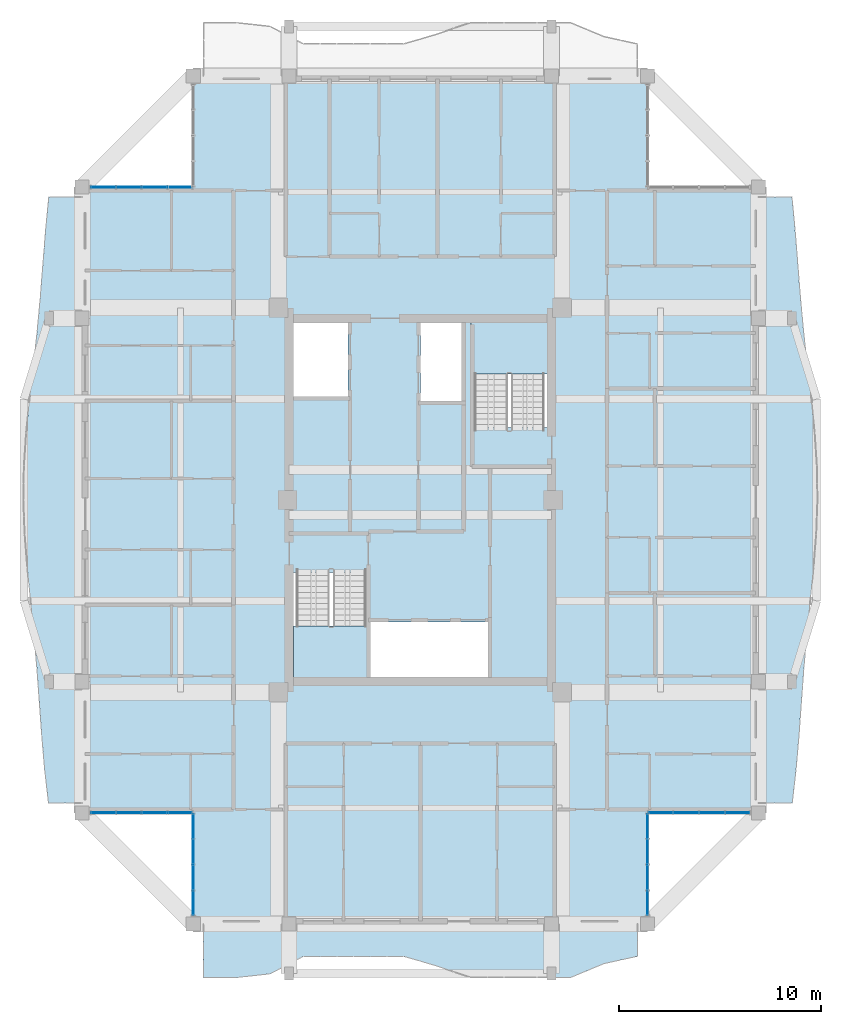
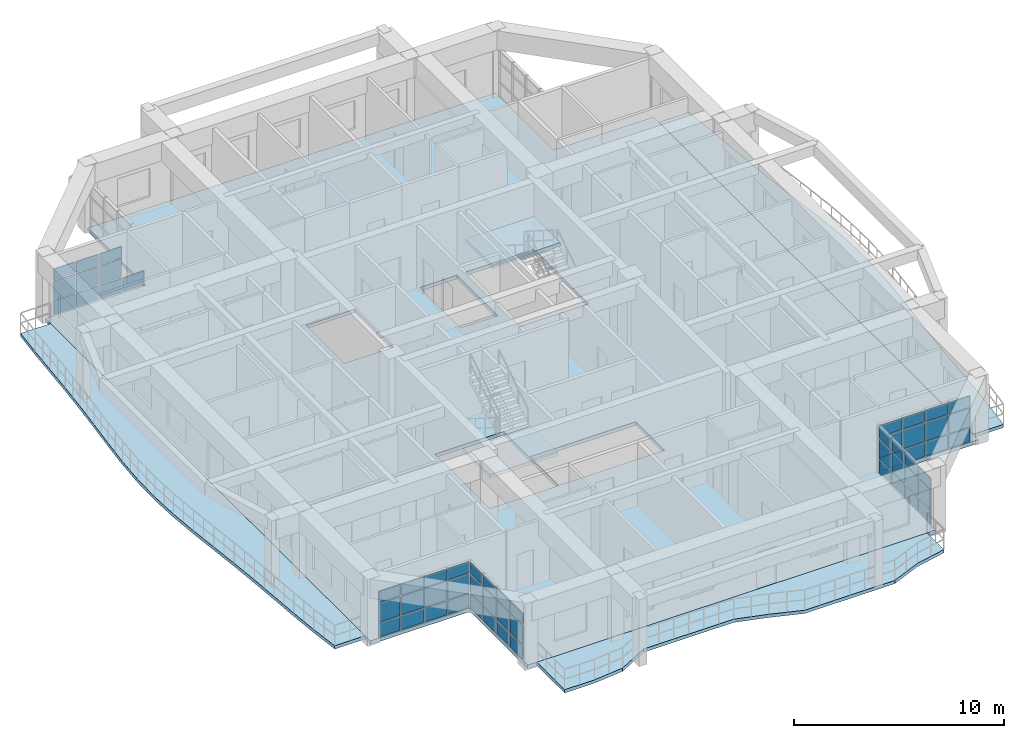
# One storey, part 14 of 27: 58 plates, 6 slabs, 7 elements without a shape of their own.
"""IFC4 building model written with IfcOpenShell, lengths in metres."""

from ifc_helpers import new_model, si_unit, direction, frame, origin, origin_2d, place, context, subcontext, project, spatial, polyline, rectangle, outline, extrude, source, transform, mapped, material, layer, layer_set, type_object, element, aggregate, save


model = new_model("IFC4")

# Units and contexts
model_context = context("Model", 3, precision=1e-05, world=origin(), true_north=direction((0.0, 1.0)))
body_context = subcontext(model_context, "Body", "Model", "MODEL_VIEW")
ifc_project = project(units=[si_unit("LENGTHUNIT", "METRE"), si_unit("AREAUNIT", "SQUARE_METRE"), si_unit("VOLUMEUNIT", "CUBIC_METRE"), si_unit("PLANEANGLEUNIT", "RADIAN"), si_unit("MASSUNIT", "GRAM", prefix="KILO")], contexts=[model_context])

# Site, building, storey
site_placement = place(None, origin())
site = spatial("IfcSite", under=ifc_project, at=site_placement, CompositionType="ELEMENT")
building_placement = place(site_placement, origin())
building = spatial("IfcBuilding", under=site, at=building_placement, Name="Saelheon Loggia Tower", CompositionType="ELEMENT")
storey_placement = place(building_placement, frame((0.0, 0.0, 226.199951171875)))
storey = spatial("IfcBuildingStorey", under=building, at=storey_placement, Name="L70", CompositionType="ELEMENT", Elevation=226.199951171875)

# Slabs
ifc_material_1 = material(Name="Precast Concrete C45/55", Category="concrete")
ifc_layer_1 = layer(ifc_material_1, 0.18994140625)
ifc_layer_set_1 = layer_set([ifc_layer_1], Name="Precast Concrete C45/55")
slab_type_1 = type_object("IfcSlabType", Name="Slab_Loggia_Ext_190", PredefinedType="FLOOR", material=ifc_layer_set_1)
slab_1_placement = place(storey_placement, frame((0.0, 0.0, -0.18994140625)))
element("IfcSlab", 1, at=slab_1_placement, inside=storey, type_object=slab_type_1, Name="L70 Loggia Balcony Slab S", PredefinedType="FLOOR", context=body_context, shape_type="SweptSolid", body=[
    extrude(outline(polyline([(27.25, 3.35009765625), (28.90380859375, 3.35009765625), (30.5576171875, 3.531005859375), (32.21142578125, 4.39990234375), (33.865478515625, 4.39990234375), (35.519287109375, 4.39990234375), (37.173095703125, 4.39990234375), (38.826904296875, 3.9169921875), (40.480712890625, 3.35009765625), (42.134521484375, 3.35009765625), (43.78857421875, 3.35009765625), (45.4423828125, 3.35009765625), (47.09619140625, 4.03759765625), (48.75, 4.39990234375), (48.75, 6.0), (27.25, 6.0), (27.25, 3.35009765625)])), origin(), (0.0, 0.0, 1.0), 0.18994140625),
])
slab_2_placement = place(storey_placement, frame((0.0, 0.0, -0.18994140625)))
element("IfcSlab", 2, at=slab_2_placement, inside=storey, type_object=slab_type_1, Name="L70 Loggia Balcony Slab E", PredefinedType="FLOOR", context=body_context, shape_type="SweptSolid", body=[
    extrude(outline(polyline([(54.75, 12.0), (56.419921875, 12.0), (56.611083984375, 13.666748046875), (56.754638671875, 15.333251953125), (56.87353515625, 17.0), (56.995849609375, 18.666748046875), (57.140380859375, 20.333251953125), (57.306640625, 22.0), (57.472900390625, 23.666748046875), (57.6044921875, 25.333251953125), (57.66650390625, 27.0), (57.64013671875, 28.666748046875), (57.529052734375, 30.333251953125), (57.3583984375, 32.0), (57.16552734375, 33.666748046875), (56.9833984375, 35.333251953125), (56.8291015625, 37.0), (56.697265625, 38.666748046875), (56.565673828125, 40.333251953125), (56.40625, 42.0), (54.75, 42.0), (54.75, 12.0)])), origin(), (0.0, 0.0, 1.0), 0.18994140625),
])
slab_3_placement = place(storey_placement, frame((0.0, 0.0, -0.18994140625)))
element("IfcSlab", 3, at=slab_3_placement, inside=storey, type_object=slab_type_1, Name="L70 Loggia Balcony Slab W", PredefinedType="FLOOR", context=body_context, shape_type="SweptSolid", body=[
    extrude(outline(polyline([(21.25, 12.0), (21.25, 42.0), (19.59375, 42.0), (19.434326171875, 40.333251953125), (19.302734375, 38.666748046875), (19.1708984375, 37.0), (19.0166015625, 35.333251953125), (18.83447265625, 33.666748046875), (18.6416015625, 32.0), (18.470947265625, 30.333251953125), (18.35986328125, 28.666748046875), (18.33349609375, 27.0), (18.3955078125, 25.333251953125), (18.527099609375, 23.666748046875), (18.693359375, 22.0), (18.859619140625, 20.333251953125), (19.004150390625, 18.666748046875), (19.12646484375, 17.0), (19.245361328125, 15.333251953125), (19.388916015625, 13.666748046875), (19.580078125, 12.0), (21.25, 12.0)])), origin(), (0.0, 0.0, 1.0), 0.18994140625),
])

# Stair, slab
ifc_material_2 = material(Name="Concrete C40/50", Category="concrete")
stair_type = type_object("IfcStairType", Name="Stair_Escape_Core", PredefinedType="HALF_TURN_STAIR", material=ifc_material_2)
stair_1_placement = place(storey_placement, origin())
stair_1 = element("IfcStair", 4, at=stair_1_placement, inside=storey, type_object=stair_type, Name="L70 Special Escape Stair ST1", PredefinedType="HALF_TURN_STAIR")
ifc_layer_2 = layer(ifc_material_2, 0.199951171875)
ifc_layer_set_2 = layer_set([ifc_layer_2], Name="Concrete C40/50")
slab_type_2 = type_object("IfcSlabType", Name="Slab_StairLanding_ST1", PredefinedType="LANDING", material=ifc_layer_set_2)
slab_4_placement = place(storey_placement, frame((0.0, 0.0, 1.75)))
slab_4 = element("IfcSlab", 5, at=slab_4_placement, type_object=slab_type_2, Name="ST1 landing 1", PredefinedType="LANDING", context=body_context, shape_type="SweptSolid", body=[
    extrude(outline(polyline([(31.7099609375, 20.75), (31.7099609375, 18.2099609375), (35.469970703125, 18.2099609375), (35.469970703125, 20.75), (31.7099609375, 20.75)])), origin(), (0.0, 0.0, 1.0), 0.199951171875),
])
aggregate(stair_1, [slab_4])

stair_2_placement = place(storey_placement, origin())
stair_2 = element("IfcStair", 6, at=stair_2_placement, inside=storey, type_object=stair_type, Name="L70 Special Escape Stair ST2", PredefinedType="HALF_TURN_STAIR")
ifc_layer_3 = layer(ifc_material_2, 0.199951171875)
ifc_layer_set_3 = layer_set([ifc_layer_3], Name="Concrete C40/50")
slab_type_3 = type_object("IfcSlabType", Name="Slab_StairLanding_ST2", PredefinedType="LANDING", material=ifc_layer_set_3)
slab_5_placement = place(storey_placement, frame((0.0, 0.0, 1.75)))
slab_5 = element("IfcSlab", 7, at=slab_5_placement, type_object=slab_type_3, Name="ST2 landing 1", PredefinedType="LANDING", context=body_context, shape_type="SweptSolid", body=[
    extrude(outline(polyline([(44.2900390625, 33.25), (44.2900390625, 35.7900390625), (40.530029296875, 35.7900390625), (40.530029296875, 33.25), (44.2900390625, 33.25)])), origin(), (0.0, 0.0, 1.0), 0.199951171875),
])
aggregate(stair_2, [slab_5])

# Slab
ifc_layer_4 = layer(ifc_material_2, 0.2099609375)
ifc_layer_set_4 = layer_set([ifc_layer_4], Name="Concrete C40/50")
slab_type_4 = type_object("IfcSlabType", Name="Slab_Tower_210", PredefinedType="FLOOR", material=ifc_layer_set_4)
slab_6_placement = place(storey_placement, frame((0.0, 0.0, -0.2099609375)))
element("IfcSlab", 8, at=slab_6_placement, inside=storey, type_object=slab_type_4, Name="L70 Tower Floor Slab", PredefinedType="FLOOR", context=body_context, shape_type="SweptSolid", body=[
    extrude(outline(polyline([(26.75, 6.0), (49.25, 6.0), (49.25, 11.5), (54.75, 11.5), (54.75, 42.5), (49.25, 42.5), (49.25, 48.0), (26.75, 48.0), (26.75, 42.5), (21.25, 42.5), (21.25, 11.5), (26.75, 11.5), (26.75, 6.0)]), holes=[polyline([(31.699951171875, 23.409912109375), (31.699951171875, 18.199951171875), (35.47998046875, 18.199951171875), (35.47998046875, 23.409912109375), (31.699951171875, 23.409912109375)]), polyline([(44.300048828125, 30.590087890625), (44.300048828125, 35.800048828125), (40.52001953125, 35.800048828125), (40.52001953125, 30.590087890625), (44.300048828125, 30.590087890625)]), polyline([(35.530029296875, 18.22509765625), (41.35009765625, 18.22509765625), (41.35009765625, 20.9599609375), (35.530029296875, 20.9599609375), (35.530029296875, 18.22509765625)]), polyline([(31.72509765625, 32.1201171875), (34.419921875, 32.1201171875), (34.419921875, 35.77490234375), (31.72509765625, 35.77490234375), (31.72509765625, 32.1201171875)]), polyline([(38.0, 31.89990234375), (40.050048828125, 31.89990234375), (40.050048828125, 35.77490234375), (38.0, 35.77490234375), (38.0, 31.89990234375)])]), origin(), (0.0, 0.0, 1.0), 0.2099609375),
])

# Curtain wall, plates
ifc_material_3 = material(Name="High-Wind Aluminium and Triple Laminated Glass", Category="aluminium")
ifc_layer_5 = layer(ifc_material_3, 0.179931640625)
ifc_layer_set_5 = layer_set([ifc_layer_5], Name="High-Wind Aluminium and Triple Laminated Glass")
curtain_wall_type = type_object("IfcCurtainWallType", Name="CW_TowerLoggiaHigh", PredefinedType="NOTDEFINED", material=ifc_layer_set_5)
curtain_wall_1_placement = place(storey_placement, origin())
curtain_wall_1 = element("IfcCurtainWall", 9, at=curtain_wall_1_placement, inside=storey, type_object=curtain_wall_type, Name="L70 Corner Notch Glazing SW1", PredefinedType="NOTDEFINED")
ifc_material_4 = material(Name="Triple Low-E Laminated Glazing", Category="glass")
ifc_layer_6 = layer(ifc_material_4, 0.0439453125)
ifc_layer_set_6 = layer_set([ifc_layer_6], Name="Triple Low-E Laminated Glazing")
plate_type = type_object("IfcPlateType", Name="CW_TowerLoggiaHigh_Panel", PredefinedType="CURTAIN_PANEL", material=ifc_layer_set_6)
shared_shape_1 = source(origin(), body_context, "Body", "SweptSolid", [
    extrude(rectangle(XDim=1.172607421875, YDim=0.0439453125, at=origin_2d()), origin(), (0.0, 0.0, 1.0), 0.794921875),
])
plate_1_placement = place(storey_placement, frame((26.75, 7.046142578125, 0.070068359375), z_axis=(0.0, 0.0, 1.0), x_axis=(0.0, 1.0, 0.0)))
plate_1 = element("IfcPlate", 10, at=plate_1_placement, type_object=plate_type, Name="CW4 panel 1.1", PredefinedType="CURTAIN_PANEL", context=body_context, shape_type="MappedRepresentation", body=[
    mapped(shared_shape_1, transform((0.0, 0.0, 0.0), scale=1.0)),
])
plate_2_placement = place(storey_placement, frame((26.75, 10.84375, 0.070068359375), z_axis=(0.0, 0.0, 1.0), x_axis=(0.0, 1.0, 0.0)))
plate_2 = element("IfcPlate", 11, at=plate_2_placement, type_object=plate_type, Name="CW4 panel 4.1", PredefinedType="CURTAIN_PANEL", context=body_context, shape_type="MappedRepresentation", body=[
    mapped(shared_shape_1, transform((0.0, 0.0, 0.0), scale=1.0)),
])

curtain_wall_2_placement = place(storey_placement, origin())
curtain_wall_2 = element("IfcCurtainWall", 12, at=curtain_wall_2_placement, inside=storey, type_object=curtain_wall_type, Name="L70 Corner Notch Glazing SW2", PredefinedType="NOTDEFINED")
plate_3_placement = place(storey_placement, frame((22.296142578125, 11.5, 0.070068359375), z_axis=(0.0, 0.0, 1.0), x_axis=(1.0, 0.0, 0.0)))
plate_3 = element("IfcPlate", 13, at=plate_3_placement, type_object=plate_type, Name="CW4 panel 1.1", PredefinedType="CURTAIN_PANEL", context=body_context, shape_type="MappedRepresentation", body=[
    mapped(shared_shape_1, transform((0.0, 0.0, 0.0), scale=1.0)),
])
plate_4_placement = place(storey_placement, frame((26.09375, 11.5, 0.070068359375), z_axis=(0.0, 0.0, 1.0), x_axis=(1.0, 0.0, 0.0)))
plate_4 = element("IfcPlate", 14, at=plate_4_placement, type_object=plate_type, Name="CW4 panel 4.1", PredefinedType="CURTAIN_PANEL", context=body_context, shape_type="MappedRepresentation", body=[
    mapped(shared_shape_1, transform((0.0, 0.0, 0.0), scale=1.0)),
])

curtain_wall_3_placement = place(storey_placement, origin())
curtain_wall_3 = element("IfcCurtainWall", 15, at=curtain_wall_3_placement, inside=storey, type_object=curtain_wall_type, Name="L70 Corner Notch Glazing SE1", PredefinedType="NOTDEFINED")
plate_5_placement = place(storey_placement, frame((49.25, 7.046142578125, 0.070068359375), z_axis=(0.0, 0.0, 1.0), x_axis=(0.0, 1.0, 0.0)))
plate_5 = element("IfcPlate", 16, at=plate_5_placement, type_object=plate_type, Name="CW4 panel 1.1", PredefinedType="CURTAIN_PANEL", context=body_context, shape_type="MappedRepresentation", body=[
    mapped(shared_shape_1, transform((0.0, 0.0, 0.0), scale=1.0)),
])
plate_6_placement = place(storey_placement, frame((49.25, 10.84375, 0.070068359375), z_axis=(0.0, 0.0, 1.0), x_axis=(0.0, 1.0, 0.0)))
plate_6 = element("IfcPlate", 17, at=plate_6_placement, type_object=plate_type, Name="CW4 panel 4.1", PredefinedType="CURTAIN_PANEL", context=body_context, shape_type="MappedRepresentation", body=[
    mapped(shared_shape_1, transform((0.0, 0.0, 0.0), scale=1.0)),
])

curtain_wall_4_placement = place(storey_placement, origin())
curtain_wall_4 = element("IfcCurtainWall", 18, at=curtain_wall_4_placement, inside=storey, type_object=curtain_wall_type, Name="L70 Corner Notch Glazing SE2", PredefinedType="NOTDEFINED")
plate_7_placement = place(storey_placement, frame((49.90625, 11.5, 0.070068359375), z_axis=(0.0, 0.0, 1.0), x_axis=(1.0, 0.0, 0.0)))
plate_7 = element("IfcPlate", 19, at=plate_7_placement, type_object=plate_type, Name="CW4 panel 1.1", PredefinedType="CURTAIN_PANEL", context=body_context, shape_type="MappedRepresentation", body=[
    mapped(shared_shape_1, transform((0.0, 0.0, 0.0), scale=1.0)),
])
plate_8_placement = place(storey_placement, frame((53.703857421875, 11.5, 0.070068359375), z_axis=(0.0, 0.0, 1.0), x_axis=(1.0, 0.0, 0.0)))
plate_8 = element("IfcPlate", 20, at=plate_8_placement, type_object=plate_type, Name="CW4 panel 4.1", PredefinedType="CURTAIN_PANEL", context=body_context, shape_type="MappedRepresentation", body=[
    mapped(shared_shape_1, transform((0.0, 0.0, 0.0), scale=1.0)),
])

curtain_wall_5_placement = place(storey_placement, origin())
curtain_wall_5 = element("IfcCurtainWall", 21, at=curtain_wall_5_placement, inside=storey, type_object=curtain_wall_type, Name="L70 Corner Notch Glazing NW2", PredefinedType="NOTDEFINED")
plate_9_placement = place(storey_placement, frame((22.296142578125, 42.5, 0.070068359375), z_axis=(0.0, 0.0, 1.0), x_axis=(1.0, 0.0, 0.0)))
plate_9 = element("IfcPlate", 22, at=plate_9_placement, type_object=plate_type, Name="CW4 panel 1.1", PredefinedType="CURTAIN_PANEL", context=body_context, shape_type="MappedRepresentation", body=[
    mapped(shared_shape_1, transform((0.0, 0.0, 0.0), scale=1.0)),
])
plate_10_placement = place(storey_placement, frame((26.09375, 42.5, 0.070068359375), z_axis=(0.0, 0.0, 1.0), x_axis=(1.0, 0.0, 0.0)))
plate_10 = element("IfcPlate", 23, at=plate_10_placement, type_object=plate_type, Name="CW4 panel 4.1", PredefinedType="CURTAIN_PANEL", context=body_context, shape_type="MappedRepresentation", body=[
    mapped(shared_shape_1, transform((0.0, 0.0, 0.0), scale=1.0)),
])

# Plate
shared_shape_2 = source(origin(), body_context, "Body", "SweptSolid", [
    extrude(rectangle(XDim=1.172607421875, YDim=0.0439453125, at=origin_2d()), origin(), (0.0, 0.0, 1.0), 1.080078125),
])
plate_11_placement = place(storey_placement, frame((26.75, 7.046142578125, 0.93505859375), z_axis=(0.0, 0.0, 1.0), x_axis=(0.0, 1.0, 0.0)))
plate_11 = element("IfcPlate", 24, at=plate_11_placement, type_object=plate_type, Name="CW4 panel 1.2", PredefinedType="CURTAIN_PANEL", context=body_context, shape_type="MappedRepresentation", body=[
    mapped(shared_shape_2, transform((0.0, 0.0, 0.0), scale=1.0)),
])

plate_12_placement = place(storey_placement, frame((26.75, 10.84375, 0.93505859375), z_axis=(0.0, 0.0, 1.0), x_axis=(0.0, 1.0, 0.0)))
plate_12 = element("IfcPlate", 25, at=plate_12_placement, type_object=plate_type, Name="CW4 panel 4.2", PredefinedType="CURTAIN_PANEL", context=body_context, shape_type="MappedRepresentation", body=[
    mapped(shared_shape_2, transform((0.0, 0.0, 0.0), scale=1.0)),
])

plate_13_placement = place(storey_placement, frame((22.296142578125, 11.5, 0.93505859375), z_axis=(0.0, 0.0, 1.0), x_axis=(1.0, 0.0, 0.0)))
plate_13 = element("IfcPlate", 26, at=plate_13_placement, type_object=plate_type, Name="CW4 panel 1.2", PredefinedType="CURTAIN_PANEL", context=body_context, shape_type="MappedRepresentation", body=[
    mapped(shared_shape_2, transform((0.0, 0.0, 0.0), scale=1.0)),
])

plate_14_placement = place(storey_placement, frame((26.09375, 11.5, 0.93505859375), z_axis=(0.0, 0.0, 1.0), x_axis=(1.0, 0.0, 0.0)))
plate_14 = element("IfcPlate", 27, at=plate_14_placement, type_object=plate_type, Name="CW4 panel 4.2", PredefinedType="CURTAIN_PANEL", context=body_context, shape_type="MappedRepresentation", body=[
    mapped(shared_shape_2, transform((0.0, 0.0, 0.0), scale=1.0)),
])

plate_15_placement = place(storey_placement, frame((49.25, 7.046142578125, 0.93505859375), z_axis=(0.0, 0.0, 1.0), x_axis=(0.0, 1.0, 0.0)))
plate_15 = element("IfcPlate", 28, at=plate_15_placement, type_object=plate_type, Name="CW4 panel 1.2", PredefinedType="CURTAIN_PANEL", context=body_context, shape_type="MappedRepresentation", body=[
    mapped(shared_shape_2, transform((0.0, 0.0, 0.0), scale=1.0)),
])

plate_16_placement = place(storey_placement, frame((49.25, 10.84375, 0.93505859375), z_axis=(0.0, 0.0, 1.0), x_axis=(0.0, 1.0, 0.0)))
plate_16 = element("IfcPlate", 29, at=plate_16_placement, type_object=plate_type, Name="CW4 panel 4.2", PredefinedType="CURTAIN_PANEL", context=body_context, shape_type="MappedRepresentation", body=[
    mapped(shared_shape_2, transform((0.0, 0.0, 0.0), scale=1.0)),
])

plate_17_placement = place(storey_placement, frame((49.90625, 11.5, 0.93505859375), z_axis=(0.0, 0.0, 1.0), x_axis=(1.0, 0.0, 0.0)))
plate_17 = element("IfcPlate", 30, at=plate_17_placement, type_object=plate_type, Name="CW4 panel 1.2", PredefinedType="CURTAIN_PANEL", context=body_context, shape_type="MappedRepresentation", body=[
    mapped(shared_shape_2, transform((0.0, 0.0, 0.0), scale=1.0)),
])

plate_18_placement = place(storey_placement, frame((53.703857421875, 11.5, 0.93505859375), z_axis=(0.0, 0.0, 1.0), x_axis=(1.0, 0.0, 0.0)))
plate_18 = element("IfcPlate", 31, at=plate_18_placement, type_object=plate_type, Name="CW4 panel 4.2", PredefinedType="CURTAIN_PANEL", context=body_context, shape_type="MappedRepresentation", body=[
    mapped(shared_shape_2, transform((0.0, 0.0, 0.0), scale=1.0)),
])

plate_19_placement = place(storey_placement, frame((22.296142578125, 42.5, 0.93505859375), z_axis=(0.0, 0.0, 1.0), x_axis=(1.0, 0.0, 0.0)))
plate_19 = element("IfcPlate", 32, at=plate_19_placement, type_object=plate_type, Name="CW4 panel 1.2", PredefinedType="CURTAIN_PANEL", context=body_context, shape_type="MappedRepresentation", body=[
    mapped(shared_shape_2, transform((0.0, 0.0, 0.0), scale=1.0)),
])

shared_shape_3 = source(origin(), body_context, "Body", "SweptSolid", [
    extrude(rectangle(XDim=1.20751953125, YDim=0.0439453125, at=origin_2d()), origin(), (0.0, 0.0, 1.0), 0.794921875),
])
plate_20_placement = place(storey_placement, frame((26.75, 8.30615234375, 0.070068359375), z_axis=(0.0, 0.0, 1.0), x_axis=(0.0, 1.0, 0.0)))
plate_20 = element("IfcPlate", 33, at=plate_20_placement, type_object=plate_type, Name="CW4 panel 2.1", PredefinedType="CURTAIN_PANEL", context=body_context, shape_type="MappedRepresentation", body=[
    mapped(shared_shape_3, transform((0.0, 0.0, 0.0), scale=1.0)),
])

plate_21_placement = place(storey_placement, frame((26.75, 9.583740234375, 0.070068359375), z_axis=(0.0, 0.0, 1.0), x_axis=(0.0, 1.0, 0.0)))
plate_21 = element("IfcPlate", 34, at=plate_21_placement, type_object=plate_type, Name="CW4 panel 3.1", PredefinedType="CURTAIN_PANEL", context=body_context, shape_type="MappedRepresentation", body=[
    mapped(shared_shape_3, transform((0.0, 0.0, 0.0), scale=1.0)),
])

plate_22_placement = place(storey_placement, frame((23.55615234375, 11.5, 0.070068359375), z_axis=(0.0, 0.0, 1.0), x_axis=(1.0, 0.0, 0.0)))
plate_22 = element("IfcPlate", 35, at=plate_22_placement, type_object=plate_type, Name="CW4 panel 2.1", PredefinedType="CURTAIN_PANEL", context=body_context, shape_type="MappedRepresentation", body=[
    mapped(shared_shape_3, transform((0.0, 0.0, 0.0), scale=1.0)),
])

plate_23_placement = place(storey_placement, frame((24.833740234375, 11.5, 0.070068359375), z_axis=(0.0, 0.0, 1.0), x_axis=(1.0, 0.0, 0.0)))
plate_23 = element("IfcPlate", 36, at=plate_23_placement, type_object=plate_type, Name="CW4 panel 3.1", PredefinedType="CURTAIN_PANEL", context=body_context, shape_type="MappedRepresentation", body=[
    mapped(shared_shape_3, transform((0.0, 0.0, 0.0), scale=1.0)),
])

plate_24_placement = place(storey_placement, frame((49.25, 8.30615234375, 0.070068359375), z_axis=(0.0, 0.0, 1.0), x_axis=(0.0, 1.0, 0.0)))
plate_24 = element("IfcPlate", 37, at=plate_24_placement, type_object=plate_type, Name="CW4 panel 2.1", PredefinedType="CURTAIN_PANEL", context=body_context, shape_type="MappedRepresentation", body=[
    mapped(shared_shape_3, transform((0.0, 0.0, 0.0), scale=1.0)),
])

plate_25_placement = place(storey_placement, frame((49.25, 9.583740234375, 0.070068359375), z_axis=(0.0, 0.0, 1.0), x_axis=(0.0, 1.0, 0.0)))
plate_25 = element("IfcPlate", 38, at=plate_25_placement, type_object=plate_type, Name="CW4 panel 3.1", PredefinedType="CURTAIN_PANEL", context=body_context, shape_type="MappedRepresentation", body=[
    mapped(shared_shape_3, transform((0.0, 0.0, 0.0), scale=1.0)),
])

plate_26_placement = place(storey_placement, frame((51.166259765625, 11.5, 0.070068359375), z_axis=(0.0, 0.0, 1.0), x_axis=(1.0, 0.0, 0.0)))
plate_26 = element("IfcPlate", 39, at=plate_26_placement, type_object=plate_type, Name="CW4 panel 2.1", PredefinedType="CURTAIN_PANEL", context=body_context, shape_type="MappedRepresentation", body=[
    mapped(shared_shape_3, transform((0.0, 0.0, 0.0), scale=1.0)),
])

plate_27_placement = place(storey_placement, frame((52.44384765625, 11.5, 0.070068359375), z_axis=(0.0, 0.0, 1.0), x_axis=(1.0, 0.0, 0.0)))
plate_27 = element("IfcPlate", 40, at=plate_27_placement, type_object=plate_type, Name="CW4 panel 3.1", PredefinedType="CURTAIN_PANEL", context=body_context, shape_type="MappedRepresentation", body=[
    mapped(shared_shape_3, transform((0.0, 0.0, 0.0), scale=1.0)),
])

plate_28_placement = place(storey_placement, frame((23.55615234375, 42.5, 0.070068359375), z_axis=(0.0, 0.0, 1.0), x_axis=(1.0, 0.0, 0.0)))
plate_28 = element("IfcPlate", 41, at=plate_28_placement, type_object=plate_type, Name="CW4 panel 2.1", PredefinedType="CURTAIN_PANEL", context=body_context, shape_type="MappedRepresentation", body=[
    mapped(shared_shape_3, transform((0.0, 0.0, 0.0), scale=1.0)),
])

plate_29_placement = place(storey_placement, frame((24.833740234375, 42.5, 0.070068359375), z_axis=(0.0, 0.0, 1.0), x_axis=(1.0, 0.0, 0.0)))
plate_29 = element("IfcPlate", 42, at=plate_29_placement, type_object=plate_type, Name="CW4 panel 3.1", PredefinedType="CURTAIN_PANEL", context=body_context, shape_type="MappedRepresentation", body=[
    mapped(shared_shape_3, transform((0.0, 0.0, 0.0), scale=1.0)),
])

shared_shape_4 = source(origin(), body_context, "Body", "SweptSolid", [
    extrude(rectangle(XDim=1.20751953125, YDim=0.0439453125, at=origin_2d()), origin(), (0.0, 0.0, 1.0), 1.080078125),
])
plate_30_placement = place(storey_placement, frame((26.75, 8.30615234375, 0.93505859375), z_axis=(0.0, 0.0, 1.0), x_axis=(0.0, 1.0, 0.0)))
plate_30 = element("IfcPlate", 43, at=plate_30_placement, type_object=plate_type, Name="CW4 panel 2.2", PredefinedType="CURTAIN_PANEL", context=body_context, shape_type="MappedRepresentation", body=[
    mapped(shared_shape_4, transform((0.0, 0.0, 0.0), scale=1.0)),
])

plate_31_placement = place(storey_placement, frame((26.75, 9.583740234375, 0.93505859375), z_axis=(0.0, 0.0, 1.0), x_axis=(0.0, 1.0, 0.0)))
plate_31 = element("IfcPlate", 44, at=plate_31_placement, type_object=plate_type, Name="CW4 panel 3.2", PredefinedType="CURTAIN_PANEL", context=body_context, shape_type="MappedRepresentation", body=[
    mapped(shared_shape_4, transform((0.0, 0.0, 0.0), scale=1.0)),
])

plate_32_placement = place(storey_placement, frame((23.55615234375, 11.5, 0.93505859375), z_axis=(0.0, 0.0, 1.0), x_axis=(1.0, 0.0, 0.0)))
plate_32 = element("IfcPlate", 45, at=plate_32_placement, type_object=plate_type, Name="CW4 panel 2.2", PredefinedType="CURTAIN_PANEL", context=body_context, shape_type="MappedRepresentation", body=[
    mapped(shared_shape_4, transform((0.0, 0.0, 0.0), scale=1.0)),
])

plate_33_placement = place(storey_placement, frame((24.833740234375, 11.5, 0.93505859375), z_axis=(0.0, 0.0, 1.0), x_axis=(1.0, 0.0, 0.0)))
plate_33 = element("IfcPlate", 46, at=plate_33_placement, type_object=plate_type, Name="CW4 panel 3.2", PredefinedType="CURTAIN_PANEL", context=body_context, shape_type="MappedRepresentation", body=[
    mapped(shared_shape_4, transform((0.0, 0.0, 0.0), scale=1.0)),
])

plate_34_placement = place(storey_placement, frame((49.25, 8.30615234375, 0.93505859375), z_axis=(0.0, 0.0, 1.0), x_axis=(0.0, 1.0, 0.0)))
plate_34 = element("IfcPlate", 47, at=plate_34_placement, type_object=plate_type, Name="CW4 panel 2.2", PredefinedType="CURTAIN_PANEL", context=body_context, shape_type="MappedRepresentation", body=[
    mapped(shared_shape_4, transform((0.0, 0.0, 0.0), scale=1.0)),
])

plate_35_placement = place(storey_placement, frame((49.25, 9.583740234375, 0.93505859375), z_axis=(0.0, 0.0, 1.0), x_axis=(0.0, 1.0, 0.0)))
plate_35 = element("IfcPlate", 48, at=plate_35_placement, type_object=plate_type, Name="CW4 panel 3.2", PredefinedType="CURTAIN_PANEL", context=body_context, shape_type="MappedRepresentation", body=[
    mapped(shared_shape_4, transform((0.0, 0.0, 0.0), scale=1.0)),
])

plate_36_placement = place(storey_placement, frame((51.166259765625, 11.5, 0.93505859375), z_axis=(0.0, 0.0, 1.0), x_axis=(1.0, 0.0, 0.0)))
plate_36 = element("IfcPlate", 49, at=plate_36_placement, type_object=plate_type, Name="CW4 panel 2.2", PredefinedType="CURTAIN_PANEL", context=body_context, shape_type="MappedRepresentation", body=[
    mapped(shared_shape_4, transform((0.0, 0.0, 0.0), scale=1.0)),
])

plate_37_placement = place(storey_placement, frame((52.44384765625, 11.5, 0.93505859375), z_axis=(0.0, 0.0, 1.0), x_axis=(1.0, 0.0, 0.0)))
plate_37 = element("IfcPlate", 50, at=plate_37_placement, type_object=plate_type, Name="CW4 panel 3.2", PredefinedType="CURTAIN_PANEL", context=body_context, shape_type="MappedRepresentation", body=[
    mapped(shared_shape_4, transform((0.0, 0.0, 0.0), scale=1.0)),
])

plate_38_placement = place(storey_placement, frame((23.55615234375, 42.5, 0.93505859375), z_axis=(0.0, 0.0, 1.0), x_axis=(1.0, 0.0, 0.0)))
plate_38 = element("IfcPlate", 51, at=plate_38_placement, type_object=plate_type, Name="CW4 panel 2.2", PredefinedType="CURTAIN_PANEL", context=body_context, shape_type="MappedRepresentation", body=[
    mapped(shared_shape_4, transform((0.0, 0.0, 0.0), scale=1.0)),
])

plate_39_placement = place(storey_placement, frame((24.833740234375, 42.5, 0.93505859375), z_axis=(0.0, 0.0, 1.0), x_axis=(1.0, 0.0, 0.0)))
plate_39 = element("IfcPlate", 52, at=plate_39_placement, type_object=plate_type, Name="CW4 panel 3.2", PredefinedType="CURTAIN_PANEL", context=body_context, shape_type="MappedRepresentation", body=[
    mapped(shared_shape_4, transform((0.0, 0.0, 0.0), scale=1.0)),
])

shared_shape_5 = source(origin(), body_context, "Body", "SweptSolid", [
    extrude(rectangle(XDim=1.172607421875, YDim=0.0439453125, at=origin_2d()), origin(), (0.0, 0.0, 1.0), 0.635009765625),
])
plate_40_placement = place(storey_placement, frame((26.75, 7.046142578125, 2.0849609375), z_axis=(0.0, 0.0, 1.0), x_axis=(0.0, 1.0, 0.0)))
plate_40 = element("IfcPlate", 53, at=plate_40_placement, type_object=plate_type, Name="CW4 panel 1.3", PredefinedType="CURTAIN_PANEL", context=body_context, shape_type="MappedRepresentation", body=[
    mapped(shared_shape_5, transform((0.0, 0.0, 0.0), scale=1.0)),
])

plate_41_placement = place(storey_placement, frame((26.75, 10.84375, 2.0849609375), z_axis=(0.0, 0.0, 1.0), x_axis=(0.0, 1.0, 0.0)))
plate_41 = element("IfcPlate", 54, at=plate_41_placement, type_object=plate_type, Name="CW4 panel 4.3", PredefinedType="CURTAIN_PANEL", context=body_context, shape_type="MappedRepresentation", body=[
    mapped(shared_shape_5, transform((0.0, 0.0, 0.0), scale=1.0)),
])

plate_42_placement = place(storey_placement, frame((22.296142578125, 11.5, 2.0849609375), z_axis=(0.0, 0.0, 1.0), x_axis=(1.0, 0.0, 0.0)))
plate_42 = element("IfcPlate", 55, at=plate_42_placement, type_object=plate_type, Name="CW4 panel 1.3", PredefinedType="CURTAIN_PANEL", context=body_context, shape_type="MappedRepresentation", body=[
    mapped(shared_shape_5, transform((0.0, 0.0, 0.0), scale=1.0)),
])

plate_43_placement = place(storey_placement, frame((26.09375, 11.5, 2.0849609375), z_axis=(0.0, 0.0, 1.0), x_axis=(1.0, 0.0, 0.0)))
plate_43 = element("IfcPlate", 56, at=plate_43_placement, type_object=plate_type, Name="CW4 panel 4.3", PredefinedType="CURTAIN_PANEL", context=body_context, shape_type="MappedRepresentation", body=[
    mapped(shared_shape_5, transform((0.0, 0.0, 0.0), scale=1.0)),
])

plate_44_placement = place(storey_placement, frame((49.25, 7.046142578125, 2.0849609375), z_axis=(0.0, 0.0, 1.0), x_axis=(0.0, 1.0, 0.0)))
plate_44 = element("IfcPlate", 57, at=plate_44_placement, type_object=plate_type, Name="CW4 panel 1.3", PredefinedType="CURTAIN_PANEL", context=body_context, shape_type="MappedRepresentation", body=[
    mapped(shared_shape_5, transform((0.0, 0.0, 0.0), scale=1.0)),
])

plate_45_placement = place(storey_placement, frame((49.25, 10.84375, 2.0849609375), z_axis=(0.0, 0.0, 1.0), x_axis=(0.0, 1.0, 0.0)))
plate_45 = element("IfcPlate", 58, at=plate_45_placement, type_object=plate_type, Name="CW4 panel 4.3", PredefinedType="CURTAIN_PANEL", context=body_context, shape_type="MappedRepresentation", body=[
    mapped(shared_shape_5, transform((0.0, 0.0, 0.0), scale=1.0)),
])

plate_46_placement = place(storey_placement, frame((49.90625, 11.5, 2.0849609375), z_axis=(0.0, 0.0, 1.0), x_axis=(1.0, 0.0, 0.0)))
plate_46 = element("IfcPlate", 59, at=plate_46_placement, type_object=plate_type, Name="CW4 panel 1.3", PredefinedType="CURTAIN_PANEL", context=body_context, shape_type="MappedRepresentation", body=[
    mapped(shared_shape_5, transform((0.0, 0.0, 0.0), scale=1.0)),
])

plate_47_placement = place(storey_placement, frame((53.703857421875, 11.5, 2.0849609375), z_axis=(0.0, 0.0, 1.0), x_axis=(1.0, 0.0, 0.0)))
plate_47 = element("IfcPlate", 60, at=plate_47_placement, type_object=plate_type, Name="CW4 panel 4.3", PredefinedType="CURTAIN_PANEL", context=body_context, shape_type="MappedRepresentation", body=[
    mapped(shared_shape_5, transform((0.0, 0.0, 0.0), scale=1.0)),
])

plate_48_placement = place(storey_placement, frame((22.296142578125, 42.5, 2.0849609375), z_axis=(0.0, 0.0, 1.0), x_axis=(1.0, 0.0, 0.0)))
plate_48 = element("IfcPlate", 61, at=plate_48_placement, type_object=plate_type, Name="CW4 panel 1.3", PredefinedType="CURTAIN_PANEL", context=body_context, shape_type="MappedRepresentation", body=[
    mapped(shared_shape_5, transform((0.0, 0.0, 0.0), scale=1.0)),
])

shared_shape_6 = source(origin(), body_context, "Body", "SweptSolid", [
    extrude(rectangle(XDim=1.20751953125, YDim=0.0439453125, at=origin_2d()), origin(), (0.0, 0.0, 1.0), 0.635009765625),
])
plate_49_placement = place(storey_placement, frame((26.75, 8.30615234375, 2.0849609375), z_axis=(0.0, 0.0, 1.0), x_axis=(0.0, 1.0, 0.0)))
plate_49 = element("IfcPlate", 62, at=plate_49_placement, type_object=plate_type, Name="CW4 panel 2.3", PredefinedType="CURTAIN_PANEL", context=body_context, shape_type="MappedRepresentation", body=[
    mapped(shared_shape_6, transform((0.0, 0.0, 0.0), scale=1.0)),
])

plate_50_placement = place(storey_placement, frame((26.75, 9.583740234375, 2.0849609375), z_axis=(0.0, 0.0, 1.0), x_axis=(0.0, 1.0, 0.0)))
plate_50 = element("IfcPlate", 63, at=plate_50_placement, type_object=plate_type, Name="CW4 panel 3.3", PredefinedType="CURTAIN_PANEL", context=body_context, shape_type="MappedRepresentation", body=[
    mapped(shared_shape_6, transform((0.0, 0.0, 0.0), scale=1.0)),
])

aggregate(curtain_wall_1, [plate_1, plate_11, plate_40, plate_20, plate_30, plate_49, plate_21, plate_31, plate_50, plate_2, plate_12, plate_41])

plate_51_placement = place(storey_placement, frame((23.55615234375, 11.5, 2.0849609375), z_axis=(0.0, 0.0, 1.0), x_axis=(1.0, 0.0, 0.0)))
plate_51 = element("IfcPlate", 64, at=plate_51_placement, type_object=plate_type, Name="CW4 panel 2.3", PredefinedType="CURTAIN_PANEL", context=body_context, shape_type="MappedRepresentation", body=[
    mapped(shared_shape_6, transform((0.0, 0.0, 0.0), scale=1.0)),
])

plate_52_placement = place(storey_placement, frame((24.833740234375, 11.5, 2.0849609375), z_axis=(0.0, 0.0, 1.0), x_axis=(1.0, 0.0, 0.0)))
plate_52 = element("IfcPlate", 65, at=plate_52_placement, type_object=plate_type, Name="CW4 panel 3.3", PredefinedType="CURTAIN_PANEL", context=body_context, shape_type="MappedRepresentation", body=[
    mapped(shared_shape_6, transform((0.0, 0.0, 0.0), scale=1.0)),
])

aggregate(curtain_wall_2, [plate_3, plate_13, plate_42, plate_22, plate_32, plate_51, plate_23, plate_33, plate_52, plate_4, plate_14, plate_43])

plate_53_placement = place(storey_placement, frame((49.25, 8.30615234375, 2.0849609375), z_axis=(0.0, 0.0, 1.0), x_axis=(0.0, 1.0, 0.0)))
plate_53 = element("IfcPlate", 66, at=plate_53_placement, type_object=plate_type, Name="CW4 panel 2.3", PredefinedType="CURTAIN_PANEL", context=body_context, shape_type="MappedRepresentation", body=[
    mapped(shared_shape_6, transform((0.0, 0.0, 0.0), scale=1.0)),
])

plate_54_placement = place(storey_placement, frame((49.25, 9.583740234375, 2.0849609375), z_axis=(0.0, 0.0, 1.0), x_axis=(0.0, 1.0, 0.0)))
plate_54 = element("IfcPlate", 67, at=plate_54_placement, type_object=plate_type, Name="CW4 panel 3.3", PredefinedType="CURTAIN_PANEL", context=body_context, shape_type="MappedRepresentation", body=[
    mapped(shared_shape_6, transform((0.0, 0.0, 0.0), scale=1.0)),
])

aggregate(curtain_wall_3, [plate_5, plate_15, plate_44, plate_24, plate_34, plate_53, plate_25, plate_35, plate_54, plate_6, plate_16, plate_45])

plate_55_placement = place(storey_placement, frame((51.166259765625, 11.5, 2.0849609375), z_axis=(0.0, 0.0, 1.0), x_axis=(1.0, 0.0, 0.0)))
plate_55 = element("IfcPlate", 68, at=plate_55_placement, type_object=plate_type, Name="CW4 panel 2.3", PredefinedType="CURTAIN_PANEL", context=body_context, shape_type="MappedRepresentation", body=[
    mapped(shared_shape_6, transform((0.0, 0.0, 0.0), scale=1.0)),
])

plate_56_placement = place(storey_placement, frame((52.44384765625, 11.5, 2.0849609375), z_axis=(0.0, 0.0, 1.0), x_axis=(1.0, 0.0, 0.0)))
plate_56 = element("IfcPlate", 69, at=plate_56_placement, type_object=plate_type, Name="CW4 panel 3.3", PredefinedType="CURTAIN_PANEL", context=body_context, shape_type="MappedRepresentation", body=[
    mapped(shared_shape_6, transform((0.0, 0.0, 0.0), scale=1.0)),
])

aggregate(curtain_wall_4, [plate_7, plate_17, plate_46, plate_26, plate_36, plate_55, plate_27, plate_37, plate_56, plate_8, plate_18, plate_47])

plate_57_placement = place(storey_placement, frame((23.55615234375, 42.5, 2.0849609375), z_axis=(0.0, 0.0, 1.0), x_axis=(1.0, 0.0, 0.0)))
plate_57 = element("IfcPlate", 70, at=plate_57_placement, type_object=plate_type, Name="CW4 panel 2.3", PredefinedType="CURTAIN_PANEL", context=body_context, shape_type="MappedRepresentation", body=[
    mapped(shared_shape_6, transform((0.0, 0.0, 0.0), scale=1.0)),
])

plate_58_placement = place(storey_placement, frame((24.833740234375, 42.5, 2.0849609375), z_axis=(0.0, 0.0, 1.0), x_axis=(1.0, 0.0, 0.0)))
plate_58 = element("IfcPlate", 71, at=plate_58_placement, type_object=plate_type, Name="CW4 panel 3.3", PredefinedType="CURTAIN_PANEL", context=body_context, shape_type="MappedRepresentation", body=[
    mapped(shared_shape_6, transform((0.0, 0.0, 0.0), scale=1.0)),
])

aggregate(curtain_wall_5, [plate_9, plate_19, plate_48, plate_28, plate_38, plate_57, plate_29, plate_39, plate_58, plate_10])

save(model, "model.ifc")
